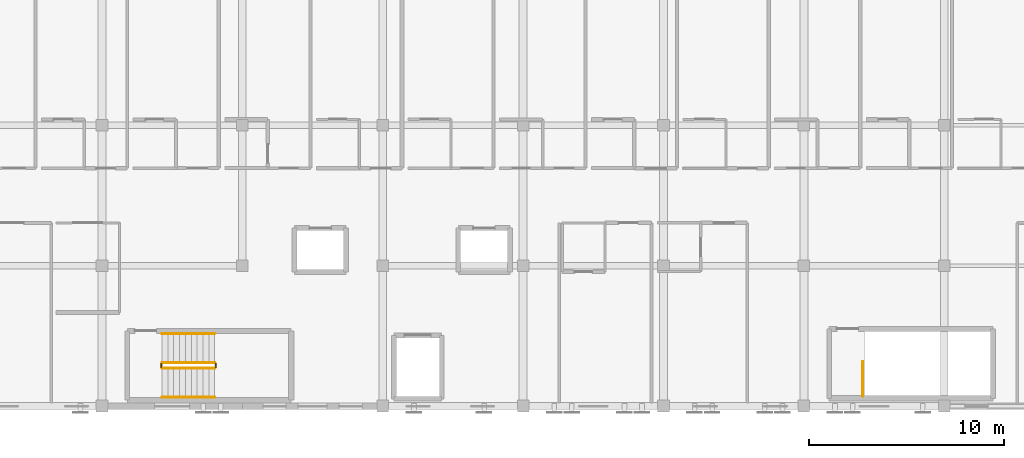
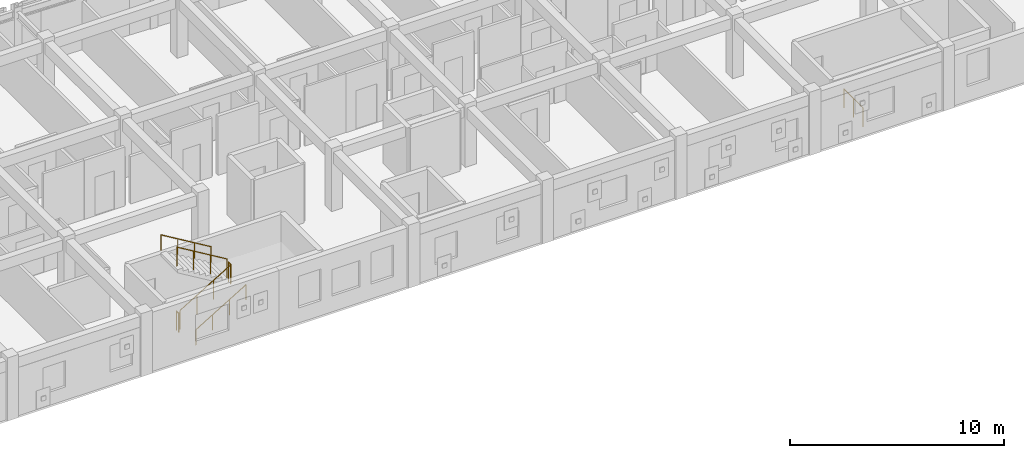
# One storey, part 45 of 45: 7 railings.
"""IFC4 building model written with IfcOpenShell, lengths in metres."""

from ifc_helpers import new_model, si_unit, direction, frame, origin, origin_2d, place, context, subcontext, project, spatial, circle, extrude, material, layer, layer_set, type_object, element, save


model = new_model("IFC4")

# Units and contexts
model_context = context("Model", 3, precision=1e-05, world=origin(), true_north=direction((0.0, 1.0)))
body_context = subcontext(model_context, "Body", "Model", "MODEL_VIEW")
ifc_project = project(units=[si_unit("LENGTHUNIT", "METRE"), si_unit("AREAUNIT", "SQUARE_METRE"), si_unit("VOLUMEUNIT", "CUBIC_METRE"), si_unit("PLANEANGLEUNIT", "RADIAN"), si_unit("MASSUNIT", "GRAM", prefix="KILO")], contexts=[model_context])

# Site, building, storey
site_placement = place(None, origin())
site = spatial("IfcSite", under=ifc_project, at=site_placement, CompositionType="ELEMENT")
building_placement = place(site_placement, origin())
building = spatial("IfcBuilding", under=site, at=building_placement, Name="Carrowvane Square Congress Hotel", CompositionType="ELEMENT")
storey_placement = place(building_placement, frame((0.0, 0.0, 33.60009765625)))
storey = spatial("IfcBuildingStorey", under=building, at=storey_placement, Name="L08", CompositionType="ELEMENT", Elevation=33.60009765625)

# Railings
ifc_material_1 = material(Name="Stainless steel 316", Category="steel")
ifc_layer_1 = layer(ifc_material_1, 0.048095703125)
ifc_layer_set_1 = layer_set([ifc_layer_1], Name="Stainless steel 316")
railing_type_1 = type_object("IfcRailingType", Name="RLG-HR-900", PredefinedType="HANDRAIL", material=ifc_layer_set_1)
railing_1_placement = place(storey_placement, frame((101.080078125, 92.25, 0.179931640625)))
element("IfcRailing", 1, at=railing_1_placement, inside=storey, type_object=railing_type_1, Name="L08 ST3 stair handrail 1", PredefinedType="HANDRAIL", context=body_context, shape_type="SweptSolid", body=[
    extrude(circle(Radius=0.02392578125, at=origin_2d()), frame((0.0, 0.0, 0.8759765625), z_axis=(0.857506608807, 0.0, 0.514472949583), x_axis=(0.0, 1.0, 0.0)), (0.0, 0.0, 1.0), 3.148681640625),
    extrude(circle(Radius=0.02099609375, at=origin_2d()), origin(), (0.0, 0.0, 1.0), 0.851806640625),
    extrude(circle(Radius=0.02099609375, at=origin_2d()), frame((0.89990234375, 0.0, 0.5400390625)), (0.0, 0.0, 1.0), 0.851806640625),
    extrude(circle(Radius=0.02099609375, at=origin_2d()), frame((1.800048828125, 0.0, 1.079833984375)), (0.0, 0.0, 1.0), 0.851806640625),
    extrude(circle(Radius=0.02099609375, at=origin_2d()), frame((2.699951171875, 0.0, 1.619873046875)), (0.0, 0.0, 1.0), 0.851806640625),
])
railing_2_placement = place(storey_placement, frame((103.780029296875, 95.510009765625, 1.97998046875)))
element("IfcRailing", 2, at=railing_2_placement, inside=storey, type_object=railing_type_1, Name="L08 ST3 stair handrail 2", PredefinedType="HANDRAIL", context=body_context, shape_type="SweptSolid", body=[
    extrude(circle(Radius=0.02392578125, at=origin_2d()), frame((0.0, 0.0, 0.8759765625), z_axis=(-0.857506608807, 0.0, 0.514472949583), x_axis=(0.0, -1.0, 0.0)), (0.0, 0.0, 1.0), 3.148681640625),
    extrude(circle(Radius=0.02099609375, at=origin_2d()), origin(), (0.0, 0.0, 1.0), 0.851806640625),
    extrude(circle(Radius=0.02099609375, at=origin_2d()), frame((-0.89990234375, 0.0, 0.5400390625)), (0.0, 0.0, 1.0), 0.851806640625),
    extrude(circle(Radius=0.02099609375, at=origin_2d()), frame((-1.800048828125, 0.0, 1.079833984375)), (0.0, 0.0, 1.0), 0.851806640625),
    extrude(circle(Radius=0.02099609375, at=origin_2d()), frame((-2.699951171875, 0.0, 1.619873046875)), (0.0, 0.0, 1.0), 0.851806640625),
])
ifc_material_2 = material(Name="Galvanised steel", Category="steel")
ifc_layer_2 = layer(ifc_material_2, 0.048095703125)
ifc_layer_set_2 = layer_set([ifc_layer_2], Name="Galvanised steel")
railing_type_2 = type_object("IfcRailingType", Name="RLG-STG-1100", PredefinedType="GUARDRAIL", material=ifc_layer_set_2)
railing_3_placement = place(storey_placement, frame((101.080078125, 93.72998046875, 0.179931640625)))
element("IfcRailing", 3, at=railing_3_placement, inside=storey, type_object=railing_type_2, Name="L08 ST3 stair guard 1", PredefinedType="GUARDRAIL", context=body_context, shape_type="SweptSolid", body=[
    extrude(circle(Radius=0.02392578125, at=origin_2d()), frame((0.0, 0.0, 1.076171875), z_axis=(0.857506608807, 0.0, 0.514472949583), x_axis=(0.0, 1.0, 0.0)), (0.0, 0.0, 1.0), 3.148681640625),
    extrude(circle(Radius=0.02099609375, at=origin_2d()), origin(), (0.0, 0.0, 1.0), 1.052001953125),
    extrude(circle(Radius=0.02099609375, at=origin_2d()), frame((0.89990234375, 0.0, 0.5400390625)), (0.0, 0.0, 1.0), 1.052001953125),
    extrude(circle(Radius=0.02099609375, at=origin_2d()), frame((1.800048828125, 0.0, 1.079833984375)), (0.0, 0.0, 1.0), 1.052001953125),
    extrude(circle(Radius=0.02099609375, at=origin_2d()), frame((2.699951171875, 0.0, 1.619873046875)), (0.0, 0.0, 1.0), 1.052001953125),
])
railing_4_placement = place(storey_placement, frame((103.830078125, 93.780029296875, 1.7998046875)))
element("IfcRailing", 4, at=railing_4_placement, inside=storey, type_object=railing_type_2, Name="L08 ST3 stair guard 2", PredefinedType="GUARDRAIL", context=body_context, shape_type="SweptSolid", body=[
    extrude(circle(Radius=0.02392578125, at=origin_2d()), frame((0.0, 0.0, 1.076171875), z_axis=(0.0, 1.0, 0.0), x_axis=(-1.0, 0.0, 0.0)), (0.0, 0.0, 1.0), 0.199951171875),
    extrude(circle(Radius=0.02099609375, at=origin_2d()), origin(), (0.0, 0.0, 1.0), 1.052001953125),
    extrude(circle(Radius=0.02099609375, at=origin_2d()), frame((0.0, 0.199951171875, 0.0)), (0.0, 0.0, 1.0), 1.052001953125),
])
railing_5_placement = place(storey_placement, frame((103.780029296875, 94.030029296875, 1.97998046875)))
element("IfcRailing", 5, at=railing_5_placement, inside=storey, type_object=railing_type_2, Name="L08 ST3 stair guard 3", PredefinedType="GUARDRAIL", context=body_context, shape_type="SweptSolid", body=[
    extrude(circle(Radius=0.02392578125, at=origin_2d()), frame((0.0, 0.0, 1.076171875), z_axis=(-0.857506608807, 0.0, 0.514472949583), x_axis=(0.0, -1.0, 0.0)), (0.0, 0.0, 1.0), 3.148681640625),
    extrude(circle(Radius=0.02099609375, at=origin_2d()), origin(), (0.0, 0.0, 1.0), 1.052001953125),
    extrude(circle(Radius=0.02099609375, at=origin_2d()), frame((-0.89990234375, 0.0, 0.5400390625)), (0.0, 0.0, 1.0), 1.052001953125),
    extrude(circle(Radius=0.02099609375, at=origin_2d()), frame((-1.800048828125, 0.0, 1.079833984375)), (0.0, 0.0, 1.0), 1.052001953125),
    extrude(circle(Radius=0.02099609375, at=origin_2d()), frame((-2.699951171875, 0.0, 1.619873046875)), (0.0, 0.0, 1.0), 1.052001953125),
])
railing_6_placement = place(storey_placement, frame((101.030029296875, 93.780029296875, 0.0)))
element("IfcRailing", 6, at=railing_6_placement, inside=storey, type_object=railing_type_2, Name="L08 ST3 stair guard 4", PredefinedType="GUARDRAIL", context=body_context, shape_type="SweptSolid", body=[
    extrude(circle(Radius=0.02392578125, at=origin_2d()), frame((0.0, 0.0, 1.076171875), z_axis=(0.0, 1.0, 0.0), x_axis=(-1.0, 0.0, 0.0)), (0.0, 0.0, 1.0), 0.199951171875),
    extrude(circle(Radius=0.02099609375, at=origin_2d()), origin(), (0.0, 0.0, 1.0), 1.052001953125),
    extrude(circle(Radius=0.02099609375, at=origin_2d()), frame((0.0, 0.199951171875, 0.0)), (0.0, 0.0, 1.0), 1.052001953125),
])
railing_7_placement = place(storey_placement, frame((137.030029296875, 92.300048828125, 0.0)))
element("IfcRailing", 7, at=railing_7_placement, inside=storey, type_object=railing_type_2, Name="L08 ST12 top well guard 1", PredefinedType="GUARDRAIL", context=body_context, shape_type="SweptSolid", body=[
    extrude(circle(Radius=0.02392578125, at=origin_2d()), frame((0.0, 0.0, 1.076171875), z_axis=(0.0, 1.0, 0.0), x_axis=(-1.0, 0.0, 0.0)), (0.0, 0.0, 1.0), 1.780029296875),
    extrude(circle(Radius=0.02099609375, at=origin_2d()), origin(), (0.0, 0.0, 1.0), 1.052001953125),
    extrude(circle(Radius=0.02099609375, at=origin_2d()), frame((0.0, 0.89013671875, 0.0)), (0.0, 0.0, 1.0), 1.052001953125),
    extrude(circle(Radius=0.02099609375, at=origin_2d()), frame((0.0, 1.780029296875, 0.0)), (0.0, 0.0, 1.0), 1.052001953125),
])

save(model, "model.ifc")
